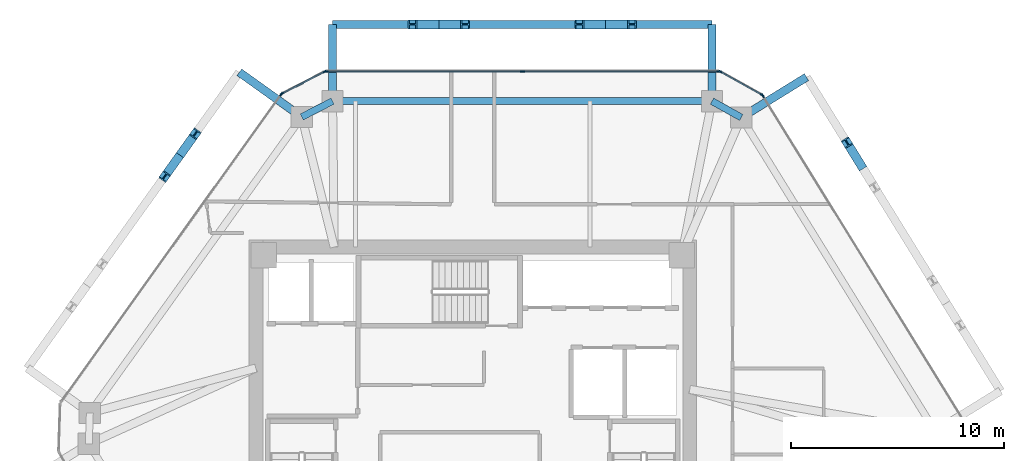
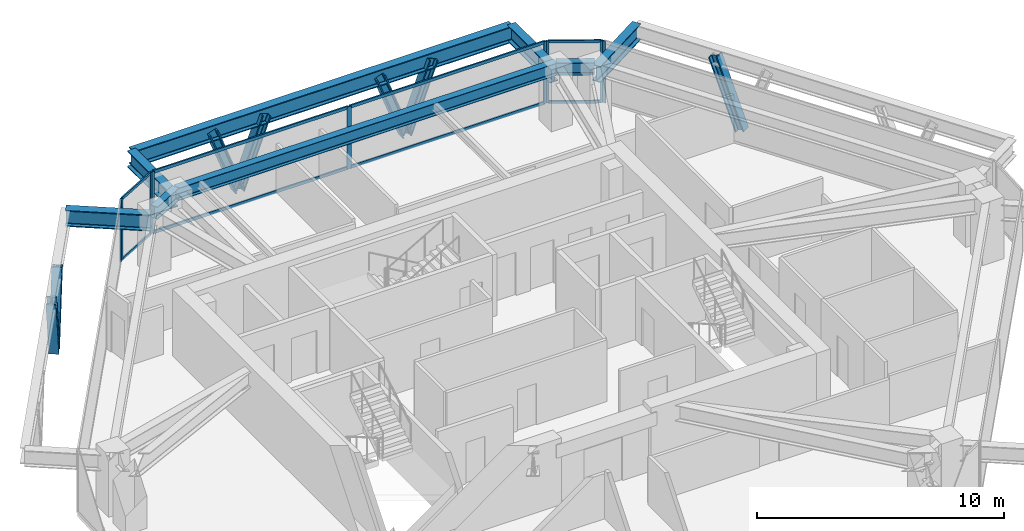
# One storey, part 6 of 11: 24 members, 8 beams, 5 elements without a shape of their own.
"""IFC4 building model written with IfcOpenShell, lengths in metres."""

from ifc_helpers import new_model, si_unit, direction, frame, origin, origin_2d, place, context, subcontext, project, spatial, rectangle, i_section, extrude, source, transform, mapped, material, layer, layer_set, material_profile, profile_set, type_object, type_shapes, element, aggregate, save


model = new_model("IFC4")

# Units and contexts
model_context = context("Model", 3, precision=1e-05, world=origin(), true_north=direction((0.0, 1.0)))
body_context = subcontext(model_context, "Body", "Model", "MODEL_VIEW")
ifc_project = project(units=[si_unit("LENGTHUNIT", "METRE"), si_unit("AREAUNIT", "SQUARE_METRE"), si_unit("VOLUMEUNIT", "CUBIC_METRE"), si_unit("PLANEANGLEUNIT", "RADIAN"), si_unit("MASSUNIT", "GRAM", prefix="KILO")], contexts=[model_context])

# Site, building, storey
site_placement = place(None, origin())
site = spatial("IfcSite", under=ifc_project, at=site_placement, CompositionType="ELEMENT")
building_placement = place(site_placement, origin())
building = spatial("IfcBuilding", under=site, at=building_placement, Name="Durnholm Broadcast Tower", CompositionType="ELEMENT")
storey_placement = place(building_placement, frame((0.0, 0.0, 170.5)))
storey = spatial("IfcBuildingStorey", under=building, at=storey_placement, Name="L46", CompositionType="ELEMENT", Elevation=170.5)

# Beams
ifc_material_1 = material(Name="Steel ASTM A992 Grade 50", Category="steel")
ifc_material_profile_1 = material_profile(ifc_material_1, i_section(OverallWidth=0.385009765625, OverallDepth=0.802978515625, WebThickness=0.023681640625, FlangeThickness=0.0419921875, FilletRadius=0.032958984375, at=origin_2d()), Name="W30X261")
ifc_profile_set_1 = profile_set([ifc_material_profile_1], Name="Steel ASTM A992 Grade 50")
beam_type_1 = type_object("IfcBeamType", Name="BM-EXO-TIE", PredefinedType="USERDEFINED", material=ifc_profile_set_1)
shared_shape_1 = source(origin(), body_context, "Body", "SweptSolid", [
    extrude(i_section(OverallWidth=0.385009765625, OverallDepth=0.802978515625, WebThickness=0.023681640625, FlangeThickness=0.0419921875, FilletRadius=0.032958984375, at=origin_2d()), origin(), (0.0, 0.0, 1.0), 3.4560546875),
])
for number, where, z_axis, x_axis, name in (
    (1, (12.713134765625, 14.327880859375, 2.30859375), (0.850662348375, 0.525712439512, 0.0), (-0.525712439512, 0.850662348375, 0.0), "L46 exoskeleton stand-off tie bracket F3.2"),
    (2, (-8.138916015625, 14.360107421875, 2.30859375), (-0.813079048773, 0.582153296346, 0.0), (-0.582153296346, -0.813079048773, 0.0), "L46 exoskeleton stand-off tie bracket F5.1"),
):
    element("IfcBeam", number, at=place(storey_placement, frame(where, z_axis=z_axis, x_axis=x_axis)), inside=storey, type_object=beam_type_1, Name=name, ObjectType="GIRDER", PredefinedType="USERDEFINED", context=body_context, shape_type="MappedRepresentation", body=[
        mapped(shared_shape_1, transform((0.0, 0.0, 0.0), x_axis=(1.0, 0.0, 0.0), y_axis=(0.0, 1.0, 0.0), z_axis=(0.0, 0.0, 1.0), scale=1.0)),
    ])
shared_shape_2 = source(origin(), body_context, "Body", "SweptSolid", [
    extrude(i_section(OverallWidth=0.385009765625, OverallDepth=0.802978515625, WebThickness=0.023681640625, FlangeThickness=0.0419921875, FilletRadius=0.032958984375, at=origin_2d()), origin(), (0.0, 0.0, 1.0), 3.455810546875),
])
for number, where, z_axis, x_axis, name in (
    (3, (11.217529296875, 15.162109375, 2.30859375), (0.0, 1.0, 0.0), (-1.0, 0.0, 0.0), "L46 exoskeleton stand-off tie bracket F4.1"),
    (4, (-6.57861328125, 15.162109375, 2.30859375), (0.0, 1.0, 0.0), (-1.0, 0.0, 0.0), "L46 exoskeleton stand-off tie bracket F4.2"),
):
    element("IfcBeam", number, at=place(storey_placement, frame(where, z_axis=z_axis, x_axis=x_axis)), inside=storey, type_object=beam_type_1, Name=name, ObjectType="GIRDER", PredefinedType="USERDEFINED", context=body_context, shape_type="MappedRepresentation", body=[
        mapped(shared_shape_2, transform((0.0, 0.0, 0.0), x_axis=(1.0, 0.0, 0.0), y_axis=(0.0, 1.0, 0.0), z_axis=(0.0, 0.0, 1.0), scale=1.0)),
    ])
ifc_material_profile_2 = material_profile(ifc_material_1, i_section(OverallWidth=0.3251953125, OverallDepth=0.6162109375, WebThickness=0.013916015625, FlangeThickness=0.021484375, FilletRadius=0.02783203125, at=origin_2d()), Name="W24X117")
ifc_profile_set_2 = profile_set([ifc_material_profile_2], Name="Steel ASTM A992 Grade 50")
beam_type_2 = type_object("IfcBeamType", Name="STL-SP-W24X117", PredefinedType="SPANDREL", material=ifc_profile_set_2)
shared_shape_3 = source(origin(), body_context, "Body", "SweptSolid", [
    extrude(i_section(OverallWidth=0.3251953125, OverallDepth=0.6162109375, WebThickness=0.013916015625, FlangeThickness=0.021484375, FilletRadius=0.02783203125, at=origin_2d()), origin(), (0.0, 0.0, 1.0), 1.62255859375),
])
beam_1_placement = place(storey_placement, frame((-8.021728515625, 14.2763671875, 2.73681640625), z_axis=(0.889406668864, 0.45711680934, 0.0), x_axis=(-0.45711680934, 0.889406668864, 0.0)))
element("IfcBeam", 5, at=beam_1_placement, inside=storey, type_object=beam_type_2, Name="L46 perimeter spandrel girder 04", PredefinedType="SPANDREL", context=body_context, shape_type="MappedRepresentation", body=[
    mapped(shared_shape_3, transform((0.0, 0.0, 0.0), x_axis=(1.0, 0.0, 0.0), y_axis=(0.0, 1.0, 0.0), z_axis=(0.0, 0.0, 1.0), scale=1.0)),
])
shared_shape_4 = source(origin(), body_context, "Body", "SweptSolid", [
    extrude(i_section(OverallWidth=0.3251953125, OverallDepth=0.6162109375, WebThickness=0.013916015625, FlangeThickness=0.021484375, FilletRadius=0.02783203125, at=origin_2d()), origin(), (0.0, 0.0, 1.0), 17.796142578125),
])
beam_2_placement = place(storey_placement, frame((-6.57861328125, 15.01806640625, 2.73681640625), z_axis=(1.0, 0.0, 0.0), x_axis=(0.0, 1.0, 0.0)))
element("IfcBeam", 6, at=beam_2_placement, inside=storey, type_object=beam_type_2, Name="L46 perimeter spandrel girder 05", PredefinedType="SPANDREL", context=body_context, shape_type="MappedRepresentation", body=[
    mapped(shared_shape_4, transform((0.0, 0.0, 0.0), x_axis=(1.0, 0.0, 0.0), y_axis=(0.0, 1.0, 0.0), z_axis=(0.0, 0.0, 1.0), scale=1.0)),
])
shared_shape_5 = source(origin(), body_context, "Body", "SweptSolid", [
    extrude(i_section(OverallWidth=0.3251953125, OverallDepth=0.6162109375, WebThickness=0.013916015625, FlangeThickness=0.021484375, FilletRadius=0.02783203125, at=origin_2d()), origin(), (0.0, 0.0, 1.0), 1.572509765625),
])
type_shapes(beam_type_2, [shared_shape_3, shared_shape_4, shared_shape_5])
beam_3_placement = place(storey_placement, frame((11.217529296875, 15.01806640625, 2.73681640625), z_axis=(0.873365144476, -0.487066037017, 0.0), x_axis=(0.487066037017, 0.873365144476, 0.0)))
element("IfcBeam", 7, at=beam_3_placement, inside=storey, type_object=beam_type_2, Name="L46 perimeter spandrel girder 06", PredefinedType="SPANDREL", context=body_context, shape_type="MappedRepresentation", body=[
    mapped(shared_shape_5, transform((0.0, 0.0, 0.0), x_axis=(1.0, 0.0, 0.0), y_axis=(0.0, 1.0, 0.0), z_axis=(0.0, 0.0, 1.0), scale=1.0)),
])
shared_shape_6 = source(origin(), body_context, "Body", "SweptSolid", [
    extrude(i_section(OverallWidth=0.385009765625, OverallDepth=0.802978515625, WebThickness=0.023681640625, FlangeThickness=0.0419921875, FilletRadius=0.032958984375, at=origin_2d()), origin(), (0.0, 0.0, 1.0), 17.796142578125),
])
type_shapes(beam_type_1, [shared_shape_1, shared_shape_2, shared_shape_6])
beam_4_placement = place(storey_placement, frame((11.217529296875, 18.617919921875, 2.30859375), z_axis=(-1.0, 0.0, 0.0), x_axis=(0.0, -1.0, 0.0)))
element("IfcBeam", 8, at=beam_4_placement, inside=storey, type_object=beam_type_1, Name="L46 exoskeleton collector spandrel F4", PredefinedType="SPANDREL", context=body_context, shape_type="MappedRepresentation", body=[
    mapped(shared_shape_6, transform((0.0, 0.0, 0.0), x_axis=(1.0, 0.0, 0.0), y_axis=(0.0, 1.0, 0.0), z_axis=(0.0, 0.0, 1.0), scale=1.0)),
])

# Members
ifc_material_2 = material(Name="Steel ASTM A913 Grade 65", Category="steel")
ifc_material_profile_3 = material_profile(ifc_material_2, i_section(OverallWidth=0.412109375, OverallDepth=0.434814453125, WebThickness=0.035888671875, FlangeThickness=0.057373046875, FilletRadius=0.030517578125, at=origin_2d()), Name="W14X311")
ifc_profile_set_3 = profile_set([ifc_material_profile_3], Name="Steel ASTM A913 Grade 65")
member_type_1 = type_object("IfcMemberType", Name="STL-DG-W14X311", PredefinedType="BRACE", material=ifc_profile_set_3)
shared_shape_7 = source(origin(), body_context, "Body", "SweptSolid", [
    extrude(i_section(OverallWidth=0.412109375, OverallDepth=0.434814453125, WebThickness=0.035888671875, FlangeThickness=0.057373046875, FilletRadius=0.030517578125, at=origin_2d()), origin(), (0.0, 0.0, 1.0), 3.523193359375),
])
type_shapes(member_type_1, [shared_shape_7])
for number, where, z_axis, x_axis, name in (
    (9, (18.2001953125, 12.023193359375, -0.991455078125), (-0.184115236318, 0.297965945114, 0.936652483746), (-0.850699125742, -0.525652924906, 0.0), "L46 stand-off diagrid brace F3.D2.2"),
    (10, (6.234619140625, 18.617919921875, -0.991455078125), (0.350219588454, 0.0, 0.936667625075), (0.0, 1.0, 0.0), "L46 stand-off diagrid brace F4.D1.1"),
    (11, (6.234619140625, 18.617919921875, -0.991455078125), (-0.350219588454, 0.0, 0.936667625075), (0.0, -1.0, 0.0), "L46 stand-off diagrid brace F4.D1.2"),
    (12, (-1.595703125, 18.617919921875, -0.991455078125), (0.350219588454, 0.0, 0.936667625075), (0.0, 1.0, 0.0), "L46 stand-off diagrid brace F4.D2.1"),
    (13, (-1.595703125, 18.617919921875, -0.991455078125), (-0.350219588454, 0.0, 0.936667625075), (0.0, -1.0, 0.0), "L46 stand-off diagrid brace F4.D2.2"),
    (14, (-13.731689453125, 12.485595703125, -0.991455078125), (0.203869234398, 0.284737826017, 0.936675880815), (-0.813077820009, 0.582155012526, 0.0), "L46 stand-off diagrid brace F5.D1.1"),
    (15, (-13.731689453125, 12.485595703125, -0.991455078125), (-0.203869234398, -0.284737826017, 0.936675880815), (0.813077820009, -0.582155012526, 0.0), "L46 stand-off diagrid brace F5.D1.2"),
):
    element("IfcMember", number, at=place(storey_placement, frame(where, z_axis=z_axis, x_axis=x_axis)), inside=storey, type_object=member_type_1, Name=name, PredefinedType="BRACE", context=body_context, shape_type="MappedRepresentation", body=[
        mapped(shared_shape_7, transform((0.0, 0.0, 0.0), x_axis=(1.0, 0.0, 0.0), y_axis=(0.0, 1.0, 0.0), z_axis=(0.0, 0.0, 1.0), scale=1.0)),
    ])

# Curtain wall, members
ifc_material_3 = material(Name="Aluminium and Solar Control IGU", Category="aluminium")
ifc_layer_1 = layer(ifc_material_3, 0.1650390625)
ifc_layer_set_1 = layer_set([ifc_layer_1], Name="Aluminium and Solar Control IGU")
curtain_wall_type_1 = type_object("IfcCurtainWallType", Name="CW-SYS-5", PredefinedType="NOTDEFINED", material=ifc_layer_set_1)
curtain_wall_1_placement = place(storey_placement, origin())
curtain_wall_1 = element("IfcCurtainWall", 16, at=curtain_wall_1_placement, inside=storey, type_object=curtain_wall_type_1, Name="L46 curtain wall CW-CORNER CW-L46-CRN-03", PredefinedType="NOTDEFINED")
ifc_material_4 = material(Name="Aluminium 6063-T6", Category="aluminium")
ifc_material_profile_4 = material_profile(ifc_material_4, rectangle(XDim=0.06494140625, YDim=0.1650390625, at=origin_2d()), Name="CWM65X165")
ifc_profile_set_4 = profile_set([ifc_material_profile_4], Name="Aluminium 6063-T6")
member_type_2 = type_object("IfcMemberType", Name="CW-SYS-5-MUL", PredefinedType="MULLION", material=ifc_profile_set_4)
shared_shape_8 = source(origin(), body_context, "Body", "SweptSolid", [
    extrude(rectangle(XDim=0.06494140625, YDim=0.1650390625, at=origin_2d()), origin(), (0.0, 0.0, 1.0), 3.06005859375),
])
type_shapes(member_type_2, [shared_shape_8])
member_1_placement = place(storey_placement, frame((-8.93408203125, 15.381591796875, 0.0), z_axis=(0.0, 0.0, 1.0), x_axis=(-0.457081764476, 0.889424679545, 0.0)))
member_1 = element("IfcMember", 17, at=member_1_placement, type_object=member_type_2, Name="CW-CORNER mullion 1", PredefinedType="MULLION", context=body_context, shape_type="MappedRepresentation", body=[
    mapped(shared_shape_8, transform((0.0, 0.0, 0.0), x_axis=(1.0, 0.0, 0.0), y_axis=(0.0, 1.0, 0.0), z_axis=(0.0, 0.0, 1.0), scale=1.0)),
])
member_2_placement = place(storey_placement, frame((-6.9462890625, 16.403076171875, 0.0), z_axis=(0.0, 0.0, 1.0), x_axis=(-0.457081764476, 0.889424679545, 0.0)))
member_2 = element("IfcMember", 18, at=member_2_placement, type_object=member_type_2, Name="CW-CORNER mullion 2", PredefinedType="MULLION", context=body_context, shape_type="MappedRepresentation", body=[
    mapped(shared_shape_8, transform((0.0, 0.0, 0.0), x_axis=(1.0, 0.0, 0.0), y_axis=(0.0, 1.0, 0.0), z_axis=(0.0, 0.0, 1.0), scale=1.0)),
])

curtain_wall_2_placement = place(storey_placement, origin())
curtain_wall_2 = element("IfcCurtainWall", 19, at=curtain_wall_2_placement, inside=storey, type_object=curtain_wall_type_1, Name="L46 curtain wall CW-CORNER CW-L46-CRN-05", PredefinedType="NOTDEFINED")
member_3_placement = place(storey_placement, frame((11.60986328125, 16.402099609375, 0.0), z_axis=(0.0, 0.0, 1.0), x_axis=(0.486986043316, 0.873409751271, 0.0)))
member_3 = element("IfcMember", 20, at=member_3_placement, type_object=member_type_2, Name="CW-CORNER mullion 1", PredefinedType="MULLION", context=body_context, shape_type="MappedRepresentation", body=[
    mapped(shared_shape_8, transform((0.0, 0.0, 0.0), x_axis=(1.0, 0.0, 0.0), y_axis=(0.0, 1.0, 0.0), z_axis=(0.0, 0.0, 1.0), scale=1.0)),
])
member_4_placement = place(storey_placement, frame((13.56201171875, 15.313720703125, 0.0), z_axis=(0.0, 0.0, 1.0), x_axis=(0.486986043316, 0.873409751271, 0.0)))
member_4 = element("IfcMember", 21, at=member_4_placement, type_object=member_type_2, Name="CW-CORNER mullion 2", PredefinedType="MULLION", context=body_context, shape_type="MappedRepresentation", body=[
    mapped(shared_shape_8, transform((0.0, 0.0, 0.0), x_axis=(1.0, 0.0, 0.0), y_axis=(0.0, 1.0, 0.0), z_axis=(0.0, 0.0, 1.0), scale=1.0)),
])

# Member
ifc_material_profile_5 = material_profile(ifc_material_4, rectangle(XDim=0.06494140625, YDim=0.1298828125, at=origin_2d()), Name="CWT65X130")
ifc_profile_set_5 = profile_set([ifc_material_profile_5], Name="Aluminium 6063-T6")
member_type_3 = type_object("IfcMemberType", Name="CW-SYS-5-TRN", PredefinedType="USERDEFINED", material=ifc_profile_set_5)
shared_shape_9 = source(origin(), body_context, "Body", "SweptSolid", [
    extrude(rectangle(XDim=0.06494140625, YDim=0.1298828125, at=origin_2d()), origin(), (0.0, 0.0, 1.0), 2.169921875),
])
type_shapes(member_type_3, [shared_shape_9])
member_5_placement = place(storey_placement, frame((-8.9052734375, 15.396484375, 0.032470703125), z_axis=(0.889468148591, 0.456997169185, 0.0), x_axis=(-0.456997169185, 0.889468148591, 0.0)))
member_5 = element("IfcMember", 22, at=member_5_placement, type_object=member_type_3, Name="CW-CORNER transom 1.1", ObjectType="TRANSOM", PredefinedType="USERDEFINED", context=body_context, shape_type="MappedRepresentation", body=[
    mapped(shared_shape_9, transform((0.0, 0.0, 0.0), x_axis=(1.0, 0.0, 0.0), y_axis=(0.0, 1.0, 0.0), z_axis=(0.0, 0.0, 1.0), scale=1.0)),
])

member_6_placement = place(storey_placement, frame((-8.9052734375, 15.396484375, 3.027587890625), z_axis=(0.889468148591, 0.456997169185, 0.0), x_axis=(-0.456997169185, 0.889468148591, 0.0)))
member_6 = element("IfcMember", 23, at=member_6_placement, type_object=member_type_3, Name="CW-CORNER transom 1.2", ObjectType="TRANSOM", PredefinedType="USERDEFINED", context=body_context, shape_type="MappedRepresentation", body=[
    mapped(shared_shape_9, transform((0.0, 0.0, 0.0), x_axis=(1.0, 0.0, 0.0), y_axis=(0.0, 1.0, 0.0), z_axis=(0.0, 0.0, 1.0), scale=1.0)),
])

aggregate(curtain_wall_1, [member_1, member_2, member_5, member_6])

member_7_placement = place(storey_placement, frame((11.63818359375, 16.38623046875, 0.032470703125), z_axis=(0.873429215361, -0.48695113282, 0.0), x_axis=(0.48695113282, 0.873429215361, 0.0)))
member_7 = element("IfcMember", 24, at=member_7_placement, type_object=member_type_3, Name="CW-CORNER transom 1.1", ObjectType="TRANSOM", PredefinedType="USERDEFINED", context=body_context, shape_type="MappedRepresentation", body=[
    mapped(shared_shape_9, transform((0.0, 0.0, 0.0), x_axis=(1.0, 0.0, 0.0), y_axis=(0.0, 1.0, 0.0), z_axis=(0.0, 0.0, 1.0), scale=1.0)),
])

member_8_placement = place(storey_placement, frame((11.63818359375, 16.38623046875, 3.027587890625), z_axis=(0.873429215361, -0.48695113282, 0.0), x_axis=(0.48695113282, 0.873429215361, 0.0)))
member_8 = element("IfcMember", 25, at=member_8_placement, type_object=member_type_3, Name="CW-CORNER transom 1.2", ObjectType="TRANSOM", PredefinedType="USERDEFINED", context=body_context, shape_type="MappedRepresentation", body=[
    mapped(shared_shape_9, transform((0.0, 0.0, 0.0), x_axis=(1.0, 0.0, 0.0), y_axis=(0.0, 1.0, 0.0), z_axis=(0.0, 0.0, 1.0), scale=1.0)),
])

aggregate(curtain_wall_2, [member_3, member_4, member_7, member_8])

# Curtain wall, members
ifc_layer_2 = layer(ifc_material_3, 0.18994140625)
ifc_layer_set_2 = layer_set([ifc_layer_2], Name="Aluminium and Solar Control IGU")
curtain_wall_type_2 = type_object("IfcCurtainWallType", Name="CW-SYS-4", PredefinedType="NOTDEFINED", material=ifc_layer_set_2)
curtain_wall_3_placement = place(storey_placement, origin())
curtain_wall_3 = element("IfcCurtainWall", 26, at=curtain_wall_3_placement, inside=storey, type_object=curtain_wall_type_2, Name="L46 curtain wall CW-Z34-VIS CW-L46-F04", PredefinedType="NOTDEFINED")
ifc_material_profile_6 = material_profile(ifc_material_4, rectangle(XDim=0.070068359375, YDim=0.14990234375, at=origin_2d()), Name="CWT70X150")
ifc_profile_set_6 = profile_set([ifc_material_profile_6], Name="Aluminium 6063-T6")
member_type_4 = type_object("IfcMemberType", Name="CW-SYS-4-TRN", PredefinedType="USERDEFINED", material=ifc_profile_set_6)
shared_shape_10 = source(origin(), body_context, "Body", "SweptSolid", [
    extrude(rectangle(XDim=0.070068359375, YDim=0.14990234375, at=origin_2d()), origin(), (0.0, 0.0, 1.0), 9.14453125),
])
type_shapes(member_type_4, [shared_shape_10])
member_9_placement = place(storey_placement, frame((-6.847412109375, 16.41796875, 0.034912109375), z_axis=(1.0, 0.0, 0.0), x_axis=(0.0, 1.0, 0.0)))
member_9 = element("IfcMember", 27, at=member_9_placement, type_object=member_type_4, Name="CW-Z34-VIS transom 1.1", ObjectType="TRANSOM", PredefinedType="USERDEFINED", context=body_context, shape_type="MappedRepresentation", body=[
    mapped(shared_shape_10, transform((0.0, 0.0, 0.0), x_axis=(1.0, 0.0, 0.0), y_axis=(0.0, 1.0, 0.0), z_axis=(0.0, 0.0, 1.0), scale=1.0)),
])
member_10_placement = place(storey_placement, frame((-6.847412109375, 16.41796875, 3.02490234375), z_axis=(1.0, 0.0, 0.0), x_axis=(0.0, 1.0, 0.0)))
member_10 = element("IfcMember", 28, at=member_10_placement, type_object=member_type_4, Name="CW-Z34-VIS transom 1.2", ObjectType="TRANSOM", PredefinedType="USERDEFINED", context=body_context, shape_type="MappedRepresentation", body=[
    mapped(shared_shape_10, transform((0.0, 0.0, 0.0), x_axis=(1.0, 0.0, 0.0), y_axis=(0.0, 1.0, 0.0), z_axis=(0.0, 0.0, 1.0), scale=1.0)),
])
member_11_placement = place(storey_placement, frame((2.366943359375, 16.41796875, 0.034912109375), z_axis=(1.0, 0.0, 0.0), x_axis=(0.0, 1.0, 0.0)))
member_11 = element("IfcMember", 29, at=member_11_placement, type_object=member_type_4, Name="CW-Z34-VIS transom 2.1", ObjectType="TRANSOM", PredefinedType="USERDEFINED", context=body_context, shape_type="MappedRepresentation", body=[
    mapped(shared_shape_10, transform((0.0, 0.0, 0.0), x_axis=(1.0, 0.0, 0.0), y_axis=(0.0, 1.0, 0.0), z_axis=(0.0, 0.0, 1.0), scale=1.0)),
])
member_12_placement = place(storey_placement, frame((2.366943359375, 16.41796875, 3.02490234375), z_axis=(1.0, 0.0, 0.0), x_axis=(0.0, 1.0, 0.0)))
member_12 = element("IfcMember", 30, at=member_12_placement, type_object=member_type_4, Name="CW-Z34-VIS transom 2.2", ObjectType="TRANSOM", PredefinedType="USERDEFINED", context=body_context, shape_type="MappedRepresentation", body=[
    mapped(shared_shape_10, transform((0.0, 0.0, 0.0), x_axis=(1.0, 0.0, 0.0), y_axis=(0.0, 1.0, 0.0), z_axis=(0.0, 0.0, 1.0), scale=1.0)),
])

# Curtain wall, member
curtain_wall_4_placement = place(storey_placement, origin())
curtain_wall_4 = element("IfcCurtainWall", 31, at=curtain_wall_4_placement, inside=storey, type_object=curtain_wall_type_2, Name="L46 curtain wall CW-Z34-VIS CW-L46-F02", PredefinedType="NOTDEFINED")
ifc_material_profile_7 = material_profile(ifc_material_4, rectangle(XDim=0.070068359375, YDim=0.18994140625, at=origin_2d()), Name="CWM70X190")
ifc_profile_set_7 = profile_set([ifc_material_profile_7], Name="Aluminium 6063-T6")
member_type_5 = type_object("IfcMemberType", Name="CW-SYS-4-MUL", PredefinedType="MULLION", material=ifc_profile_set_7)
shared_shape_11 = source(origin(), body_context, "Body", "SweptSolid", [
    extrude(rectangle(XDim=0.070068359375, YDim=0.18994140625, at=origin_2d()), origin(), (0.0, 0.0, 1.0), 3.06005859375),
])
type_shapes(member_type_5, [shared_shape_11])
member_13_placement = place(storey_placement, frame((-8.9833984375, 15.338134765625, 0.0), z_axis=(0.0, 0.0, 1.0), x_axis=(-0.813089262696, 0.582139030549, 0.0)))
member_13 = element("IfcMember", 32, at=member_13_placement, type_object=member_type_5, Name="CW-Z34-VIS mullion 2", PredefinedType="MULLION", context=body_context, shape_type="MappedRepresentation", body=[
    mapped(shared_shape_11, transform((0.0, 0.0, 0.0), x_axis=(1.0, 0.0, 0.0), y_axis=(0.0, 1.0, 0.0), z_axis=(0.0, 0.0, 1.0), scale=1.0)),
])
aggregate(curtain_wall_4, [member_13])

# Member
member_14_placement = place(storey_placement, frame((-6.88232421875, 16.41796875, 0.0), z_axis=(0.0, 0.0, 1.0), x_axis=(0.0, 1.0, 0.0)))
member_14 = element("IfcMember", 33, at=member_14_placement, type_object=member_type_5, Name="CW-Z34-VIS mullion 1", PredefinedType="MULLION", context=body_context, shape_type="MappedRepresentation", body=[
    mapped(shared_shape_11, transform((0.0, 0.0, 0.0), x_axis=(1.0, 0.0, 0.0), y_axis=(0.0, 1.0, 0.0), z_axis=(0.0, 0.0, 1.0), scale=1.0)),
])

member_15_placement = place(storey_placement, frame((2.33203125, 16.41796875, 0.0), z_axis=(0.0, 0.0, 1.0), x_axis=(0.0, 1.0, 0.0)))
member_15 = element("IfcMember", 34, at=member_15_placement, type_object=member_type_5, Name="CW-Z34-VIS mullion 2", PredefinedType="MULLION", context=body_context, shape_type="MappedRepresentation", body=[
    mapped(shared_shape_11, transform((0.0, 0.0, 0.0), x_axis=(1.0, 0.0, 0.0), y_axis=(0.0, 1.0, 0.0), z_axis=(0.0, 0.0, 1.0), scale=1.0)),
])

member_16_placement = place(storey_placement, frame((11.54638671875, 16.41796875, 0.0), z_axis=(0.0, 0.0, 1.0), x_axis=(0.0, 1.0, 0.0)))
member_16 = element("IfcMember", 35, at=member_16_placement, type_object=member_type_5, Name="CW-Z34-VIS mullion 3", PredefinedType="MULLION", context=body_context, shape_type="MappedRepresentation", body=[
    mapped(shared_shape_11, transform((0.0, 0.0, 0.0), x_axis=(1.0, 0.0, 0.0), y_axis=(0.0, 1.0, 0.0), z_axis=(0.0, 0.0, 1.0), scale=1.0)),
])

aggregate(curtain_wall_3, [member_14, member_15, member_16, member_9, member_10, member_11, member_12])

# Curtain wall, member
curtain_wall_5_placement = place(storey_placement, origin())
curtain_wall_5 = element("IfcCurtainWall", 36, at=curtain_wall_5_placement, inside=storey, type_object=curtain_wall_type_2, Name="L46 curtain wall CW-Z34-VIS CW-L46-F06", PredefinedType="NOTDEFINED")
member_17_placement = place(storey_placement, frame((13.608642578125, 15.26806640625, 0.0), z_axis=(0.0, 0.0, 1.0), x_axis=(0.850671426092, 0.525697750452, 0.0)))
member_17 = element("IfcMember", 37, at=member_17_placement, type_object=member_type_5, Name="CW-Z34-VIS mullion 1", PredefinedType="MULLION", context=body_context, shape_type="MappedRepresentation", body=[
    mapped(shared_shape_11, transform((0.0, 0.0, 0.0), x_axis=(1.0, 0.0, 0.0), y_axis=(0.0, 1.0, 0.0), z_axis=(0.0, 0.0, 1.0), scale=1.0)),
])
aggregate(curtain_wall_5, [member_17])

save(model, "model.ifc")
